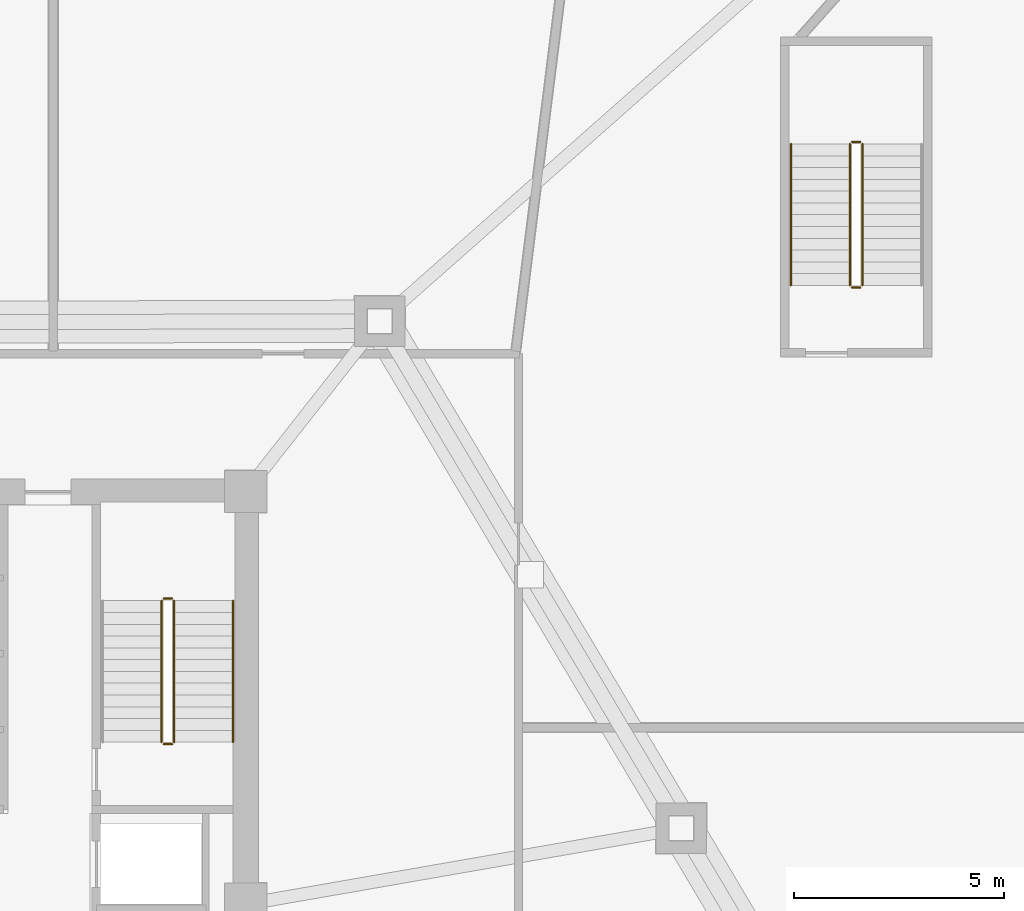
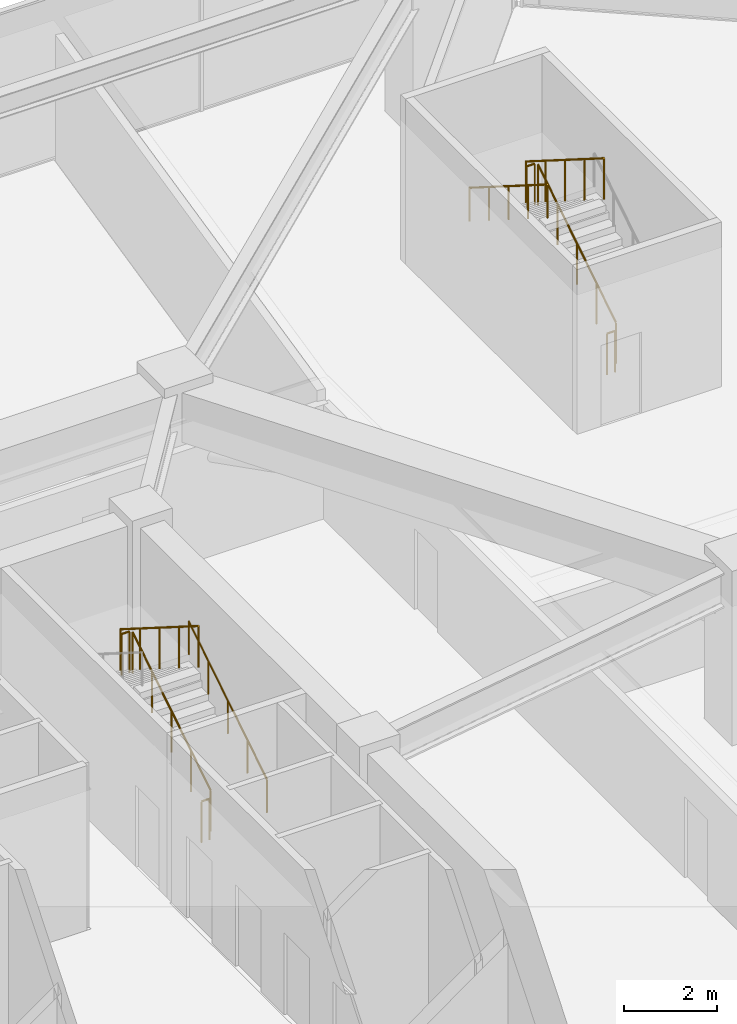
# One storey, part 21 of 23: 10 railings.
"""IFC4 building model written with IfcOpenShell, lengths in metres."""

from ifc_helpers import new_model, si_unit, direction, frame, origin, origin_2d, place, context, subcontext, project, spatial, circle, extrude, material, type_object, element, save


model = new_model("IFC4")

# Units and contexts
model_context = context("Model", 3, precision=1e-05, world=origin(), true_north=direction((0.0, 1.0)))
body_context = subcontext(model_context, "Body", "Model", "MODEL_VIEW")
ifc_project = project(units=[si_unit("LENGTHUNIT", "METRE"), si_unit("AREAUNIT", "SQUARE_METRE"), si_unit("VOLUMEUNIT", "CUBIC_METRE"), si_unit("PLANEANGLEUNIT", "RADIAN"), si_unit("MASSUNIT", "GRAM", prefix="KILO")], contexts=[model_context])

# Site, building, storey
site_placement = place(None, origin())
site = spatial("IfcSite", under=ifc_project, at=site_placement, CompositionType="ELEMENT")
building_placement = place(site_placement, origin())
building = spatial("IfcBuilding", under=site, at=building_placement, Name="Savorim Split Tower", CompositionType="ELEMENT")
storey_placement = place(building_placement, frame((0.0, 0.0, 21.800048828125)))
storey = spatial("IfcBuildingStorey", under=building, at=storey_placement, Name="L05", CompositionType="ELEMENT", Elevation=21.800048828125)

# Railings
ifc_material = material(Name="Galvanised Painted Steel Balustrade", Category="steel")
railing_type_1 = type_object("IfcRailingType", Name="RLG-HR-900", PredefinedType="HANDRAIL", material=ifc_material)
railing_1_placement = place(storey_placement, frame((7.39990234375, 4.25, 0.1767578125)))
element("IfcRailing", 1, at=railing_1_placement, inside=storey, type_object=railing_type_1, Name="L05 ST-2 stair handrail 1", PredefinedType="HANDRAIL", context=body_context, shape_type="SweptSolid", body=[
    extrude(circle(Radius=0.02392578125, at=origin_2d()), frame((0.0, 0.0, 0.8759765625), z_axis=(0.0, 0.845361898145, 0.534194029511), x_axis=(-1.0, 0.0, 0.0)), (0.0, 0.0, 1.0), 3.974853515625),
    extrude(circle(Radius=0.02099609375, at=origin_2d()), origin(), (0.0, 0.0, 1.0), 0.851806640625),
    extrude(circle(Radius=0.02099609375, at=origin_2d()), frame((0.0, 0.840087890625, 0.53076171875)), (0.0, 0.0, 1.0), 0.851806640625),
    extrude(circle(Radius=0.02099609375, at=origin_2d()), frame((0.0, 1.68017578125, 1.0615234375)), (0.0, 0.0, 1.0), 0.851806640625),
    extrude(circle(Radius=0.02099609375, at=origin_2d()), frame((0.0, 2.52001953125, 1.592529296875)), (0.0, 0.0, 1.0), 0.851806640625),
    extrude(circle(Radius=0.02099609375, at=origin_2d()), frame((0.0, 3.360107421875, 2.123291015625)), (0.0, 0.0, 1.0), 0.851806640625),
])
railing_2_placement = place(storey_placement, frame((20.64990234375, 18.4599609375, 2.476806640625)))
element("IfcRailing", 2, at=railing_2_placement, inside=storey, type_object=railing_type_1, Name="L05 ST-3 stair handrail 2", PredefinedType="HANDRAIL", context=body_context, shape_type="SweptSolid", body=[
    extrude(circle(Radius=0.02392578125, at=origin_2d()), frame((0.0, 0.0, 0.8759765625), z_axis=(0.0, -0.845372108799, 0.534177870812), x_axis=(1.0, 0.0, 0.0)), (0.0, 0.0, 1.0), 3.974365234375),
    extrude(circle(Radius=0.02099609375, at=origin_2d()), origin(), (0.0, 0.0, 1.0), 0.851806640625),
    extrude(circle(Radius=0.02099609375, at=origin_2d()), frame((0.0, -0.83984375, 0.53076171875)), (0.0, 0.0, 1.0), 0.851806640625),
    extrude(circle(Radius=0.02099609375, at=origin_2d()), frame((0.0, -1.679931640625, 1.0615234375)), (0.0, 0.0, 1.0), 0.851806640625),
    extrude(circle(Radius=0.02099609375, at=origin_2d()), frame((0.0, -2.52001953125, 1.59228515625)), (0.0, 0.0, 1.0), 0.851806640625),
    extrude(circle(Radius=0.02099609375, at=origin_2d()), frame((0.0, -3.35986328125, 2.123046875)), (0.0, 0.0, 1.0), 0.851806640625),
])
railing_type_2 = type_object("IfcRailingType", Name="RLG-STG-1100", PredefinedType="BALUSTRADE", material=ifc_material)
railing_3_placement = place(storey_placement, frame((6.0, 4.25, 0.1767578125)))
element("IfcRailing", 3, at=railing_3_placement, inside=storey, type_object=railing_type_2, Name="L05 ST-2 stair guard 1", PredefinedType="BALUSTRADE", context=body_context, shape_type="SweptSolid", body=[
    extrude(circle(Radius=0.02392578125, at=origin_2d()), frame((0.0, 0.0, 1.076171875), z_axis=(0.0, 0.845361898145, 0.534194029511), x_axis=(-1.0, 0.0, 0.0)), (0.0, 0.0, 1.0), 3.974853515625),
    extrude(circle(Radius=0.02099609375, at=origin_2d()), origin(), (0.0, 0.0, 1.0), 1.052001953125),
    extrude(circle(Radius=0.02099609375, at=origin_2d()), frame((0.0, 0.840087890625, 0.53076171875)), (0.0, 0.0, 1.0), 1.052001953125),
    extrude(circle(Radius=0.02099609375, at=origin_2d()), frame((0.0, 1.68017578125, 1.0615234375)), (0.0, 0.0, 1.0), 1.052001953125),
    extrude(circle(Radius=0.02099609375, at=origin_2d()), frame((0.0, 2.52001953125, 1.592529296875)), (0.0, 0.0, 1.0), 1.052001953125),
    extrude(circle(Radius=0.02099609375, at=origin_2d()), frame((0.0, 3.360107421875, 2.123291015625)), (0.0, 0.0, 1.0), 1.052001953125),
])
railing_4_placement = place(storey_placement, frame((5.949951171875, 7.659912109375, 2.300048828125)))
element("IfcRailing", 4, at=railing_4_placement, inside=storey, type_object=railing_type_2, Name="L05 ST-2 stair guard 2", PredefinedType="BALUSTRADE", context=body_context, shape_type="SweptSolid", body=[
    extrude(circle(Radius=0.02392578125, at=origin_2d()), frame((0.0, 0.0, 1.076171875), z_axis=(-1.0, 0.0, 0.0), x_axis=(0.0, -1.0, 0.0)), (0.0, 0.0, 1.0), 0.199951171875),
    extrude(circle(Radius=0.02099609375, at=origin_2d()), origin(), (0.0, 0.0, 1.0), 1.052001953125),
    extrude(circle(Radius=0.02099609375, at=origin_2d()), frame((-0.199951171875, 0.0, 0.0)), (0.0, 0.0, 1.0), 1.052001953125),
])
railing_5_placement = place(storey_placement, frame((5.699951171875, 7.610107421875, 2.476806640625)))
element("IfcRailing", 5, at=railing_5_placement, inside=storey, type_object=railing_type_2, Name="L05 ST-2 stair guard 3", PredefinedType="BALUSTRADE", context=body_context, shape_type="SweptSolid", body=[
    extrude(circle(Radius=0.02392578125, at=origin_2d()), frame((0.0, 0.0, 1.076171875), z_axis=(0.0, -0.845389635667, 0.534150132366), x_axis=(1.0, 0.0, 0.0)), (0.0, 0.0, 1.0), 3.974609375),
    extrude(circle(Radius=0.02099609375, at=origin_2d()), origin(), (0.0, 0.0, 1.0), 1.052001953125),
    extrude(circle(Radius=0.02099609375, at=origin_2d()), frame((0.0, -0.840087890625, 0.53076171875)), (0.0, 0.0, 1.0), 1.052001953125),
    extrude(circle(Radius=0.02099609375, at=origin_2d()), frame((0.0, -1.68017578125, 1.0615234375)), (0.0, 0.0, 1.0), 1.052001953125),
    extrude(circle(Radius=0.02099609375, at=origin_2d()), frame((0.0, -2.52001953125, 1.59228515625)), (0.0, 0.0, 1.0), 1.052001953125),
    extrude(circle(Radius=0.02099609375, at=origin_2d()), frame((0.0, -3.360107421875, 2.123046875)), (0.0, 0.0, 1.0), 1.052001953125),
])
railing_6_placement = place(storey_placement, frame((5.949951171875, 4.199951171875, 0.0)))
element("IfcRailing", 6, at=railing_6_placement, inside=storey, type_object=railing_type_2, Name="L05 ST-2 stair guard 4", PredefinedType="BALUSTRADE", context=body_context, shape_type="SweptSolid", body=[
    extrude(circle(Radius=0.02392578125, at=origin_2d()), frame((0.0, 0.0, 1.076171875), z_axis=(-1.0, 0.0, 0.0), x_axis=(0.0, -1.0, 0.0)), (0.0, 0.0, 1.0), 0.199951171875),
    extrude(circle(Radius=0.02099609375, at=origin_2d()), origin(), (0.0, 0.0, 1.0), 1.052001953125),
    extrude(circle(Radius=0.02099609375, at=origin_2d()), frame((-0.199951171875, 0.0, 0.0)), (0.0, 0.0, 1.0), 1.052001953125),
])
railing_7_placement = place(storey_placement, frame((22.35009765625, 15.10009765625, 0.1767578125)))
element("IfcRailing", 7, at=railing_7_placement, inside=storey, type_object=railing_type_2, Name="L05 ST-3 stair guard 1", PredefinedType="BALUSTRADE", context=body_context, shape_type="SweptSolid", body=[
    extrude(circle(Radius=0.02392578125, at=origin_2d()), frame((0.0, 0.0, 1.076171875), z_axis=(0.0, 0.845344368971, 0.534221768416), x_axis=(-1.0, 0.0, 0.0)), (0.0, 0.0, 1.0), 3.974609375),
    extrude(circle(Radius=0.02099609375, at=origin_2d()), origin(), (0.0, 0.0, 1.0), 1.052001953125),
    extrude(circle(Radius=0.02099609375, at=origin_2d()), frame((0.0, 0.83984375, 0.53076171875)), (0.0, 0.0, 1.0), 1.052001953125),
    extrude(circle(Radius=0.02099609375, at=origin_2d()), frame((0.0, 1.679931640625, 1.0615234375)), (0.0, 0.0, 1.0), 1.052001953125),
    extrude(circle(Radius=0.02099609375, at=origin_2d()), frame((0.0, 2.52001953125, 1.592529296875)), (0.0, 0.0, 1.0), 1.052001953125),
    extrude(circle(Radius=0.02099609375, at=origin_2d()), frame((0.0, 3.35986328125, 2.123291015625)), (0.0, 0.0, 1.0), 1.052001953125),
])
railing_8_placement = place(storey_placement, frame((22.300048828125, 18.510009765625, 2.300048828125)))
element("IfcRailing", 8, at=railing_8_placement, inside=storey, type_object=railing_type_2, Name="L05 ST-3 stair guard 2", PredefinedType="BALUSTRADE", context=body_context, shape_type="SweptSolid", body=[
    extrude(circle(Radius=0.02392578125, at=origin_2d()), frame((0.0, 0.0, 1.076171875), z_axis=(-1.0, 0.0, 0.0), x_axis=(0.0, -1.0, 0.0)), (0.0, 0.0, 1.0), 0.199951171875),
    extrude(circle(Radius=0.02099609375, at=origin_2d()), origin(), (0.0, 0.0, 1.0), 1.052001953125),
    extrude(circle(Radius=0.02099609375, at=origin_2d()), frame((-0.199951171875, 0.0, 0.0)), (0.0, 0.0, 1.0), 1.052001953125),
])
railing_9_placement = place(storey_placement, frame((22.050048828125, 18.4599609375, 2.476806640625)))
element("IfcRailing", 9, at=railing_9_placement, inside=storey, type_object=railing_type_2, Name="L05 ST-3 stair guard 3", PredefinedType="BALUSTRADE", context=body_context, shape_type="SweptSolid", body=[
    extrude(circle(Radius=0.02392578125, at=origin_2d()), frame((0.0, 0.0, 1.076171875), z_axis=(0.0, -0.845372108799, 0.534177870812), x_axis=(1.0, 0.0, 0.0)), (0.0, 0.0, 1.0), 3.974365234375),
    extrude(circle(Radius=0.02099609375, at=origin_2d()), origin(), (0.0, 0.0, 1.0), 1.052001953125),
    extrude(circle(Radius=0.02099609375, at=origin_2d()), frame((0.0, -0.83984375, 0.53076171875)), (0.0, 0.0, 1.0), 1.052001953125),
    extrude(circle(Radius=0.02099609375, at=origin_2d()), frame((0.0, -1.679931640625, 1.0615234375)), (0.0, 0.0, 1.0), 1.052001953125),
    extrude(circle(Radius=0.02099609375, at=origin_2d()), frame((0.0, -2.52001953125, 1.59228515625)), (0.0, 0.0, 1.0), 1.052001953125),
    extrude(circle(Radius=0.02099609375, at=origin_2d()), frame((0.0, -3.35986328125, 2.123046875)), (0.0, 0.0, 1.0), 1.052001953125),
])
railing_10_placement = place(storey_placement, frame((22.300048828125, 15.050048828125, 0.0)))
element("IfcRailing", 10, at=railing_10_placement, inside=storey, type_object=railing_type_2, Name="L05 ST-3 stair guard 4", PredefinedType="BALUSTRADE", context=body_context, shape_type="SweptSolid", body=[
    extrude(circle(Radius=0.02392578125, at=origin_2d()), frame((0.0, 0.0, 1.076171875), z_axis=(-1.0, 0.0, 0.0), x_axis=(0.0, -1.0, 0.0)), (0.0, 0.0, 1.0), 0.199951171875),
    extrude(circle(Radius=0.02099609375, at=origin_2d()), origin(), (0.0, 0.0, 1.0), 1.052001953125),
    extrude(circle(Radius=0.02099609375, at=origin_2d()), frame((-0.199951171875, 0.0, 0.0)), (0.0, 0.0, 1.0), 1.052001953125),
])

save(model, "model.ifc")
